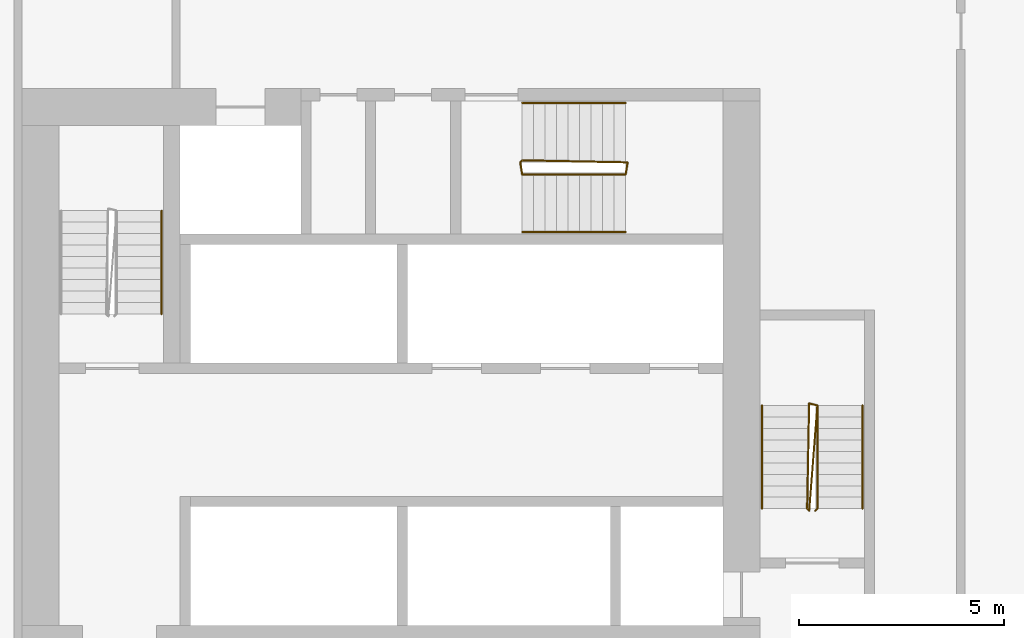
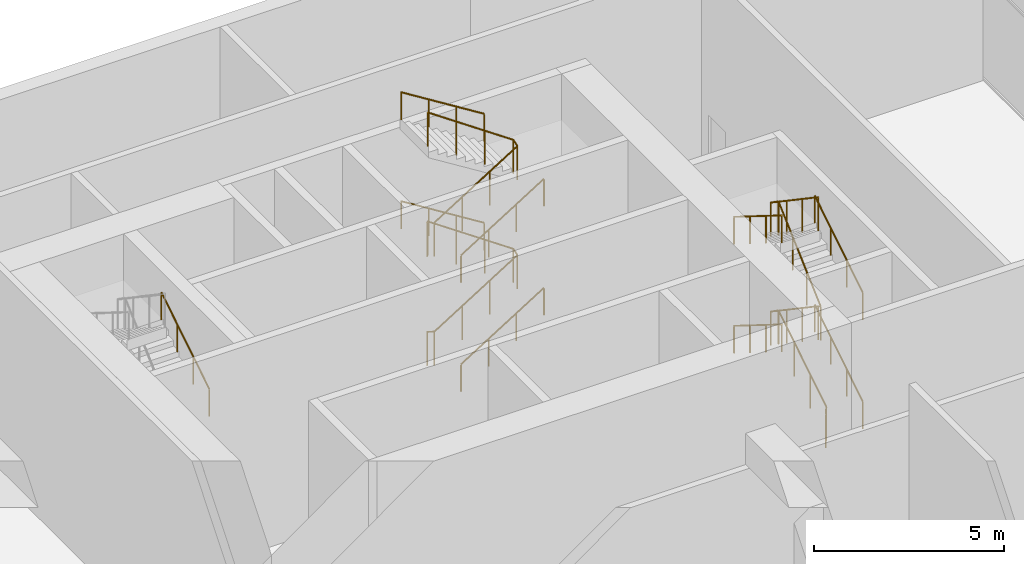
# One storey, part 23 of 23: 12 railings.
"""IFC4 building model written with IfcOpenShell, lengths in metres."""

from ifc_helpers import new_model, si_unit, direction, frame, origin, origin_2d, place, context, subcontext, project, spatial, circle, extrude, material, type_object, element, save


model = new_model("IFC4")

# Units and contexts
model_context = context("Model", 3, precision=1e-05, world=origin(), true_north=direction((0.0, 1.0)))
body_context = subcontext(model_context, "Body", "Model", "MODEL_VIEW")
ifc_project = project(units=[si_unit("LENGTHUNIT", "METRE"), si_unit("AREAUNIT", "SQUARE_METRE"), si_unit("VOLUMEUNIT", "CUBIC_METRE"), si_unit("PLANEANGLEUNIT", "RADIAN"), si_unit("MASSUNIT", "GRAM", prefix="KILO")], contexts=[model_context])

# Site, building, storey
site_placement = place(None, origin())
site = spatial("IfcSite", under=ifc_project, at=site_placement, CompositionType="ELEMENT")
building_placement = place(site_placement, origin())
building = spatial("IfcBuilding", under=site, at=building_placement, Name="Kajstack Hotel Tower", CompositionType="ELEMENT")
storey_placement = place(building_placement, frame((0.0, 0.0, 53.0)))
storey = spatial("IfcBuildingStorey", under=building, at=storey_placement, Name="L08", CompositionType="ELEMENT", Elevation=53.0)

# Railings
ifc_material = material(Name="Steel S355J2", Category="steel")
railing_type_1 = type_object("IfcRailingType", Name="Stair guard 1100", PredefinedType="GUARDRAIL", material=ifc_material)
railing_1_placement = place(storey_placement, frame((32.85009765625, 5.199951171875, 0.0)))
element("IfcRailing", 1, at=railing_1_placement, inside=storey, type_object=railing_type_1, Name="L08 E1 stair guard 1", PredefinedType="GUARDRAIL", context=body_context, shape_type="SweptSolid", body=[
    extrude(circle(Radius=0.02392578125, at=origin_2d()), frame((0.0, 0.0, 1.076171875), z_axis=(0.263862480399, 0.265155923931, 0.927399011991), x_axis=(-0.708833529934, 0.705375805398, 0.0)), (0.0, 0.0, 1.0), 0.188720703125),
    extrude(circle(Radius=0.02392578125, at=origin_2d()), frame((0.0498046875, 0.050048828125, 1.2509765625), z_axis=(0.0, 0.848007534815, 0.529984170421), x_axis=(-1.0, 0.0, 0.0)), (0.0, 0.0, 1.0), 2.9716796875),
    extrude(circle(Radius=0.02392578125, at=origin_2d()), frame((0.0498046875, 2.570068359375, 2.826171875), z_axis=(-0.970072785993, 0.242814311512, 0.0), x_axis=(-0.242814311512, -0.970072785993, 0.0)), (0.0, 0.0, 1.0), 0.2060546875),
    extrude(circle(Radius=0.02392578125, at=origin_2d()), frame((-0.150146484375, 2.6201171875, 2.826171875), z_axis=(-0.01609440485, -0.826467316365, 0.562754604702), x_axis=(0.999810440751, -0.019470042781, 0.0)), (0.0, 0.0, 1.0), 3.109619140625),
    extrude(circle(Radius=0.02392578125, at=origin_2d()), frame((-0.2001953125, 0.050048828125, 4.576171875), z_axis=(0.707106781187, -0.707106781187, 0.0), x_axis=(0.707106781187, 0.707106781187, 0.0)), (0.0, 0.0, 1.0), 0.07080078125),
    extrude(circle(Radius=0.02392578125, at=origin_2d()), frame((-0.150146484375, 0.0, 4.576171875), z_axis=(0.064174880426, 0.824870532658, 0.561667329542), x_axis=(-0.996987254287, 0.077565551559, 0.0)), (0.0, 0.0, 1.0), 3.11572265625),
    extrude(circle(Radius=0.02392578125, at=origin_2d()), frame((0.0498046875, 2.570068359375, 6.326171875), z_axis=(-0.970072785993, 0.242814311512, 0.0), x_axis=(-0.242814311512, -0.970072785993, 0.0)), (0.0, 0.0, 1.0), 0.2060546875),
    extrude(circle(Radius=0.02392578125, at=origin_2d()), frame((-0.150146484375, 2.6201171875, 6.326171875), z_axis=(-0.01609440485, -0.826467316365, 0.562754604702), x_axis=(0.999810440751, -0.019470042781, 0.0)), (0.0, 0.0, 1.0), 3.109619140625),
    extrude(circle(Radius=0.02099609375, at=origin_2d()), origin(), (0.0, 0.0, 1.0), 1.052001953125),
    extrude(circle(Radius=0.02099609375, at=origin_2d()), frame((0.0498046875, 0.050048828125, 0.175048828125)), (0.0, 0.0, 1.0), 1.052001953125),
    extrude(circle(Radius=0.02099609375, at=origin_2d()), frame((0.0498046875, 0.89013671875, 0.699951171875)), (0.0, 0.0, 1.0), 1.052001953125),
    extrude(circle(Radius=0.02099609375, at=origin_2d()), frame((0.0498046875, 1.72998046875, 1.22509765625)), (0.0, 0.0, 1.0), 1.052001953125),
    extrude(circle(Radius=0.02099609375, at=origin_2d()), frame((0.0498046875, 2.570068359375, 1.75)), (0.0, 0.0, 1.0), 1.052001953125),
    extrude(circle(Radius=0.02099609375, at=origin_2d()), frame((-0.150146484375, 2.6201171875, 1.75)), (0.0, 0.0, 1.0), 1.052001953125),
    extrude(circle(Radius=0.02099609375, at=origin_2d()), frame((-0.166748046875, 1.763427734375, 2.333251953125)), (0.0, 0.0, 1.0), 1.052001953125),
    extrude(circle(Radius=0.02099609375, at=origin_2d()), frame((-0.18359375, 0.90673828125, 2.916748046875)), (0.0, 0.0, 1.0), 1.052001953125),
    extrude(circle(Radius=0.02099609375, at=origin_2d()), frame((-0.2001953125, 0.050048828125, 3.5)), (0.0, 0.0, 1.0), 1.052001953125),
    extrude(circle(Radius=0.02099609375, at=origin_2d()), frame((-0.150146484375, 0.0, 3.5)), (0.0, 0.0, 1.0), 1.052001953125),
    extrude(circle(Radius=0.02099609375, at=origin_2d()), frame((-0.08349609375, 0.856689453125, 4.083251953125)), (0.0, 0.0, 1.0), 1.052001953125),
    extrude(circle(Radius=0.02099609375, at=origin_2d()), frame((-0.016845703125, 1.71337890625, 4.666748046875)), (0.0, 0.0, 1.0), 1.052001953125),
    extrude(circle(Radius=0.02099609375, at=origin_2d()), frame((0.0498046875, 2.570068359375, 5.25)), (0.0, 0.0, 1.0), 1.052001953125),
    extrude(circle(Radius=0.02099609375, at=origin_2d()), frame((-0.150146484375, 2.6201171875, 5.25)), (0.0, 0.0, 1.0), 1.052001953125),
    extrude(circle(Radius=0.02099609375, at=origin_2d()), frame((-0.166748046875, 1.763427734375, 5.833251953125)), (0.0, 0.0, 1.0), 1.052001953125),
    extrude(circle(Radius=0.02099609375, at=origin_2d()), frame((-0.18359375, 0.90673828125, 6.416748046875)), (0.0, 0.0, 1.0), 1.052001953125),
    extrude(circle(Radius=0.02099609375, at=origin_2d()), frame((-0.2001953125, 0.050048828125, 7.0)), (0.0, 0.0, 1.0), 1.052001953125),
])
railing_2_placement = place(storey_placement, frame((25.64990234375, 13.699951171875, 0.0)))
element("IfcRailing", 2, at=railing_2_placement, inside=storey, type_object=railing_type_1, Name="L08 E3 stair guard 1", PredefinedType="GUARDRAIL", context=body_context, shape_type="SweptSolid", body=[
    extrude(circle(Radius=0.02392578125, at=origin_2d()), frame((0.0, 0.0, 1.076171875), z_axis=(0.142603563095, -0.85492575143, 0.498764657262), x_axis=(0.986372223864, 0.164529134168, 0.0)), (0.0, 0.0, 1.0), 0.35107421875),
    extrude(circle(Radius=0.02392578125, at=origin_2d()), frame((0.050048828125, -0.300048828125, 1.2509765625), z_axis=(0.848007534815, 0.0, 0.529984170421), x_axis=(0.0, 1.0, 0.0)), (0.0, 0.0, 1.0), 2.9716796875),
    extrude(circle(Radius=0.02392578125, at=origin_2d()), frame((2.570068359375, -0.300048828125, 2.826171875), z_axis=(0.164529134168, 0.986372223864, 0.0), x_axis=(-0.986372223864, 0.164529134168, 0.0)), (0.0, 0.0, 1.0), 0.30419921875),
    extrude(circle(Radius=0.02392578125, at=origin_2d()), frame((2.6201171875, 0.0, 2.826171875), z_axis=(-0.826467316365, 0.01609440485, 0.562754604702), x_axis=(-0.019470042781, -0.999810440751, 0.0)), (0.0, 0.0, 1.0), 3.109619140625),
    extrude(circle(Radius=0.02392578125, at=origin_2d()), frame((0.050048828125, 0.050048828125, 4.576171875), z_axis=(-0.707106781187, -0.707106781187, 0.0), x_axis=(0.707106781187, -0.707106781187, 0.0)), (0.0, 0.0, 1.0), 0.07080078125),
    extrude(circle(Radius=0.02099609375, at=origin_2d()), origin(), (0.0, 0.0, 1.0), 1.052001953125),
    extrude(circle(Radius=0.02099609375, at=origin_2d()), frame((0.050048828125, -0.300048828125, 0.175048828125)), (0.0, 0.0, 1.0), 1.052001953125),
    extrude(circle(Radius=0.02099609375, at=origin_2d()), frame((0.89013671875, -0.300048828125, 0.699951171875)), (0.0, 0.0, 1.0), 1.052001953125),
    extrude(circle(Radius=0.02099609375, at=origin_2d()), frame((1.72998046875, -0.300048828125, 1.22509765625)), (0.0, 0.0, 1.0), 1.052001953125),
    extrude(circle(Radius=0.02099609375, at=origin_2d()), frame((2.570068359375, -0.300048828125, 1.75)), (0.0, 0.0, 1.0), 1.052001953125),
    extrude(circle(Radius=0.02099609375, at=origin_2d()), frame((2.6201171875, 0.0, 1.75)), (0.0, 0.0, 1.0), 1.052001953125),
    extrude(circle(Radius=0.02099609375, at=origin_2d()), frame((1.763427734375, 0.0166015625, 2.333251953125)), (0.0, 0.0, 1.0), 1.052001953125),
    extrude(circle(Radius=0.02099609375, at=origin_2d()), frame((0.90673828125, 0.033447265625, 2.916748046875)), (0.0, 0.0, 1.0), 1.052001953125),
    extrude(circle(Radius=0.02099609375, at=origin_2d()), frame((0.050048828125, 0.050048828125, 3.5)), (0.0, 0.0, 1.0), 1.052001953125),
    extrude(circle(Radius=0.02099609375, at=origin_2d()), frame((0.0, 0.0, 3.5)), (0.0, 0.0, 1.0), 1.052001953125),
])
railing_3_placement = place(storey_placement, frame((25.699951171875, 13.39990234375, 3.675048828125)))
element("IfcRailing", 3, at=railing_3_placement, inside=storey, type_object=railing_type_1, Name="L08 E3 stair guard 2", PredefinedType="GUARDRAIL", context=body_context, shape_type="SweptSolid", body=[
    extrude(circle(Radius=0.02392578125, at=origin_2d()), frame((0.0, 0.0, 1.076171875), z_axis=(0.848007534815, 0.0, 0.529984170421), x_axis=(0.0, 1.0, 0.0)), (0.0, 0.0, 1.0), 2.9716796875),
    extrude(circle(Radius=0.02392578125, at=origin_2d()), frame((2.52001953125, 0.0, 2.65087890625), z_axis=(0.164529134168, 0.986372223864, 0.0), x_axis=(-0.986372223864, 0.164529134168, 0.0)), (0.0, 0.0, 1.0), 0.30419921875),
    extrude(circle(Radius=0.02392578125, at=origin_2d()), frame((2.570068359375, 0.300048828125, 2.65087890625), z_axis=(-0.826467316365, 0.01609440485, 0.562754604702), x_axis=(-0.019470042781, -0.999810440751, 0.0)), (0.0, 0.0, 1.0), 3.109619140625),
    extrude(circle(Radius=0.02099609375, at=origin_2d()), origin(), (0.0, 0.0, 1.0), 1.052001953125),
    extrude(circle(Radius=0.02099609375, at=origin_2d()), frame((0.840087890625, 0.0, 0.52490234375)), (0.0, 0.0, 1.0), 1.052001953125),
    extrude(circle(Radius=0.02099609375, at=origin_2d()), frame((1.679931640625, 0.0, 1.050048828125)), (0.0, 0.0, 1.0), 1.052001953125),
    extrude(circle(Radius=0.02099609375, at=origin_2d()), frame((2.52001953125, 0.0, 1.574951171875)), (0.0, 0.0, 1.0), 1.052001953125),
    extrude(circle(Radius=0.02099609375, at=origin_2d()), frame((2.570068359375, 0.300048828125, 1.574951171875)), (0.0, 0.0, 1.0), 1.052001953125),
    extrude(circle(Radius=0.02099609375, at=origin_2d()), frame((1.71337890625, 0.316650390625, 2.158203125)), (0.0, 0.0, 1.0), 1.052001953125),
    extrude(circle(Radius=0.02099609375, at=origin_2d()), frame((0.856689453125, 0.33349609375, 2.74169921875)), (0.0, 0.0, 1.0), 1.052001953125),
    extrude(circle(Radius=0.02099609375, at=origin_2d()), frame((0.0, 0.35009765625, 3.324951171875)), (0.0, 0.0, 1.0), 1.052001953125),
])
railing_type_2 = type_object("IfcRailingType", Name="Stair handrail 900", PredefinedType="HANDRAIL", material=ifc_material)
railing_4_placement = place(storey_placement, frame((34.0, 5.25, 0.175048828125)))
element("IfcRailing", 4, at=railing_4_placement, inside=storey, type_object=railing_type_2, Name="L08 E1 stair handrail 1", PredefinedType="HANDRAIL", context=body_context, shape_type="SweptSolid", body=[
    extrude(circle(Radius=0.02392578125, at=origin_2d()), frame((0.0, 0.0, 0.8759765625), z_axis=(0.0, 0.848007534815, 0.529984170421), x_axis=(-1.0, 0.0, 0.0)), (0.0, 0.0, 1.0), 2.9716796875),
    extrude(circle(Radius=0.02099609375, at=origin_2d()), origin(), (0.0, 0.0, 1.0), 0.851806640625),
    extrude(circle(Radius=0.02099609375, at=origin_2d()), frame((0.0, 0.840087890625, 0.52490234375)), (0.0, 0.0, 1.0), 0.851806640625),
    extrude(circle(Radius=0.02099609375, at=origin_2d()), frame((0.0, 1.679931640625, 1.050048828125)), (0.0, 0.0, 1.0), 0.851806640625),
    extrude(circle(Radius=0.02099609375, at=origin_2d()), frame((0.0, 2.52001953125, 1.574951171875)), (0.0, 0.0, 1.0), 0.851806640625),
])
railing_5_placement = place(storey_placement, frame((31.550048828125, 7.77001953125, 1.925048828125)))
element("IfcRailing", 5, at=railing_5_placement, inside=storey, type_object=railing_type_2, Name="L08 E1 stair handrail 2", PredefinedType="HANDRAIL", context=body_context, shape_type="SweptSolid", body=[
    extrude(circle(Radius=0.02392578125, at=origin_2d()), frame((0.0, 0.0, 0.8759765625), z_axis=(0.0, -0.848007534815, 0.529984170421), x_axis=(1.0, 0.0, 0.0)), (0.0, 0.0, 1.0), 2.9716796875),
    extrude(circle(Radius=0.02099609375, at=origin_2d()), origin(), (0.0, 0.0, 1.0), 0.851806640625),
    extrude(circle(Radius=0.02099609375, at=origin_2d()), frame((0.0, -0.840087890625, 0.52490234375)), (0.0, 0.0, 1.0), 0.851806640625),
    extrude(circle(Radius=0.02099609375, at=origin_2d()), frame((0.0, -1.679931640625, 1.050048828125)), (0.0, 0.0, 1.0), 0.851806640625),
    extrude(circle(Radius=0.02099609375, at=origin_2d()), frame((0.0, -2.52001953125, 1.574951171875)), (0.0, 0.0, 1.0), 0.851806640625),
])
railing_6_placement = place(storey_placement, frame((34.0, 5.25, 3.675048828125)))
element("IfcRailing", 6, at=railing_6_placement, inside=storey, type_object=railing_type_2, Name="L08 E1 stair handrail 3", PredefinedType="HANDRAIL", context=body_context, shape_type="SweptSolid", body=[
    extrude(circle(Radius=0.02392578125, at=origin_2d()), frame((0.0, 0.0, 0.8759765625), z_axis=(0.0, 0.848007534815, 0.529984170421), x_axis=(-1.0, 0.0, 0.0)), (0.0, 0.0, 1.0), 2.9716796875),
    extrude(circle(Radius=0.02099609375, at=origin_2d()), origin(), (0.0, 0.0, 1.0), 0.851806640625),
    extrude(circle(Radius=0.02099609375, at=origin_2d()), frame((0.0, 0.840087890625, 0.52490234375)), (0.0, 0.0, 1.0), 0.851806640625),
    extrude(circle(Radius=0.02099609375, at=origin_2d()), frame((0.0, 1.679931640625, 1.050048828125)), (0.0, 0.0, 1.0), 0.851806640625),
    extrude(circle(Radius=0.02099609375, at=origin_2d()), frame((0.0, 2.52001953125, 1.574951171875)), (0.0, 0.0, 1.0), 0.851806640625),
])
railing_7_placement = place(storey_placement, frame((31.550048828125, 7.77001953125, 5.425048828125)))
element("IfcRailing", 7, at=railing_7_placement, inside=storey, type_object=railing_type_2, Name="L08 E1 stair handrail 4", PredefinedType="HANDRAIL", context=body_context, shape_type="SweptSolid", body=[
    extrude(circle(Radius=0.02392578125, at=origin_2d()), frame((0.0, 0.0, 0.8759765625), z_axis=(0.0, -0.848007534815, 0.529984170421), x_axis=(1.0, 0.0, 0.0)), (0.0, 0.0, 1.0), 2.9716796875),
    extrude(circle(Radius=0.02099609375, at=origin_2d()), origin(), (0.0, 0.0, 1.0), 0.851806640625),
    extrude(circle(Radius=0.02099609375, at=origin_2d()), frame((0.0, -0.840087890625, 0.52490234375)), (0.0, 0.0, 1.0), 0.851806640625),
    extrude(circle(Radius=0.02099609375, at=origin_2d()), frame((0.0, -1.679931640625, 1.050048828125)), (0.0, 0.0, 1.0), 0.851806640625),
    extrude(circle(Radius=0.02099609375, at=origin_2d()), frame((0.0, -2.52001953125, 1.574951171875)), (0.0, 0.0, 1.0), 0.851806640625),
])
railing_8_placement = place(storey_placement, frame((16.89990234375, 10.0, 3.675048828125)))
element("IfcRailing", 8, at=railing_8_placement, inside=storey, type_object=railing_type_2, Name="L08 E2 stair handrail 3", PredefinedType="HANDRAIL", context=body_context, shape_type="SweptSolid", body=[
    extrude(circle(Radius=0.02392578125, at=origin_2d()), frame((0.0, 0.0, 0.8759765625), z_axis=(0.0, 0.848007534815, 0.529984170421), x_axis=(-1.0, 0.0, 0.0)), (0.0, 0.0, 1.0), 2.9716796875),
    extrude(circle(Radius=0.02099609375, at=origin_2d()), origin(), (0.0, 0.0, 1.0), 0.851806640625),
    extrude(circle(Radius=0.02099609375, at=origin_2d()), frame((0.0, 0.840087890625, 0.52490234375)), (0.0, 0.0, 1.0), 0.851806640625),
    extrude(circle(Radius=0.02099609375, at=origin_2d()), frame((0.0, 1.679931640625, 1.050048828125)), (0.0, 0.0, 1.0), 0.851806640625),
    extrude(circle(Radius=0.02099609375, at=origin_2d()), frame((0.0, 2.52001953125, 1.574951171875)), (0.0, 0.0, 1.0), 0.851806640625),
])
railing_9_placement = place(storey_placement, frame((25.699951171875, 12.0, 0.175048828125)))
element("IfcRailing", 9, at=railing_9_placement, inside=storey, type_object=railing_type_2, Name="L08 E3 stair handrail 1", PredefinedType="HANDRAIL", context=body_context, shape_type="SweptSolid", body=[
    extrude(circle(Radius=0.02392578125, at=origin_2d()), frame((0.0, 0.0, 0.8759765625), z_axis=(0.848007534815, 0.0, 0.529984170421), x_axis=(0.0, 1.0, 0.0)), (0.0, 0.0, 1.0), 2.9716796875),
    extrude(circle(Radius=0.02099609375, at=origin_2d()), origin(), (0.0, 0.0, 1.0), 0.851806640625),
    extrude(circle(Radius=0.02099609375, at=origin_2d()), frame((0.840087890625, 0.0, 0.52490234375)), (0.0, 0.0, 1.0), 0.851806640625),
    extrude(circle(Radius=0.02099609375, at=origin_2d()), frame((1.679931640625, 0.0, 1.050048828125)), (0.0, 0.0, 1.0), 0.851806640625),
    extrude(circle(Radius=0.02099609375, at=origin_2d()), frame((2.52001953125, 0.0, 1.574951171875)), (0.0, 0.0, 1.0), 0.851806640625),
])
railing_10_placement = place(storey_placement, frame((28.219970703125, 15.14990234375, 1.925048828125)))
element("IfcRailing", 10, at=railing_10_placement, inside=storey, type_object=railing_type_2, Name="L08 E3 stair handrail 2", PredefinedType="HANDRAIL", context=body_context, shape_type="SweptSolid", body=[
    extrude(circle(Radius=0.02392578125, at=origin_2d()), frame((0.0, 0.0, 0.8759765625), z_axis=(-0.848007534815, 0.0, 0.529984170421), x_axis=(0.0, -1.0, 0.0)), (0.0, 0.0, 1.0), 2.9716796875),
    extrude(circle(Radius=0.02099609375, at=origin_2d()), origin(), (0.0, 0.0, 1.0), 0.851806640625),
    extrude(circle(Radius=0.02099609375, at=origin_2d()), frame((-0.840087890625, 0.0, 0.52490234375)), (0.0, 0.0, 1.0), 0.851806640625),
    extrude(circle(Radius=0.02099609375, at=origin_2d()), frame((-1.679931640625, 0.0, 1.050048828125)), (0.0, 0.0, 1.0), 0.851806640625),
    extrude(circle(Radius=0.02099609375, at=origin_2d()), frame((-2.52001953125, 0.0, 1.574951171875)), (0.0, 0.0, 1.0), 0.851806640625),
])
railing_11_placement = place(storey_placement, frame((25.699951171875, 12.0, 3.675048828125)))
element("IfcRailing", 11, at=railing_11_placement, inside=storey, type_object=railing_type_2, Name="L08 E3 stair handrail 3", PredefinedType="HANDRAIL", context=body_context, shape_type="SweptSolid", body=[
    extrude(circle(Radius=0.02392578125, at=origin_2d()), frame((0.0, 0.0, 0.8759765625), z_axis=(0.848007534815, 0.0, 0.529984170421), x_axis=(0.0, 1.0, 0.0)), (0.0, 0.0, 1.0), 2.9716796875),
    extrude(circle(Radius=0.02099609375, at=origin_2d()), origin(), (0.0, 0.0, 1.0), 0.851806640625),
    extrude(circle(Radius=0.02099609375, at=origin_2d()), frame((0.840087890625, 0.0, 0.52490234375)), (0.0, 0.0, 1.0), 0.851806640625),
    extrude(circle(Radius=0.02099609375, at=origin_2d()), frame((1.679931640625, 0.0, 1.050048828125)), (0.0, 0.0, 1.0), 0.851806640625),
    extrude(circle(Radius=0.02099609375, at=origin_2d()), frame((2.52001953125, 0.0, 1.574951171875)), (0.0, 0.0, 1.0), 0.851806640625),
])
railing_12_placement = place(storey_placement, frame((28.219970703125, 15.14990234375, 5.425048828125)))
element("IfcRailing", 12, at=railing_12_placement, inside=storey, type_object=railing_type_2, Name="L08 E3 stair handrail 4", PredefinedType="HANDRAIL", context=body_context, shape_type="SweptSolid", body=[
    extrude(circle(Radius=0.02392578125, at=origin_2d()), frame((0.0, 0.0, 0.8759765625), z_axis=(-0.848007534815, 0.0, 0.529984170421), x_axis=(0.0, -1.0, 0.0)), (0.0, 0.0, 1.0), 2.9716796875),
    extrude(circle(Radius=0.02099609375, at=origin_2d()), origin(), (0.0, 0.0, 1.0), 0.851806640625),
    extrude(circle(Radius=0.02099609375, at=origin_2d()), frame((-0.840087890625, 0.0, 0.52490234375)), (0.0, 0.0, 1.0), 0.851806640625),
    extrude(circle(Radius=0.02099609375, at=origin_2d()), frame((-1.679931640625, 0.0, 1.050048828125)), (0.0, 0.0, 1.0), 0.851806640625),
    extrude(circle(Radius=0.02099609375, at=origin_2d()), frame((-2.52001953125, 0.0, 1.574951171875)), (0.0, 0.0, 1.0), 0.851806640625),
])

save(model, "model.ifc")
